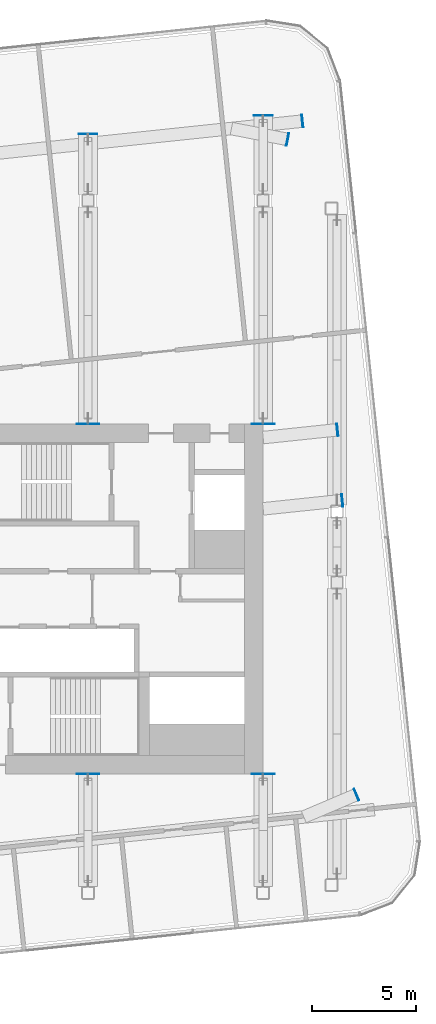
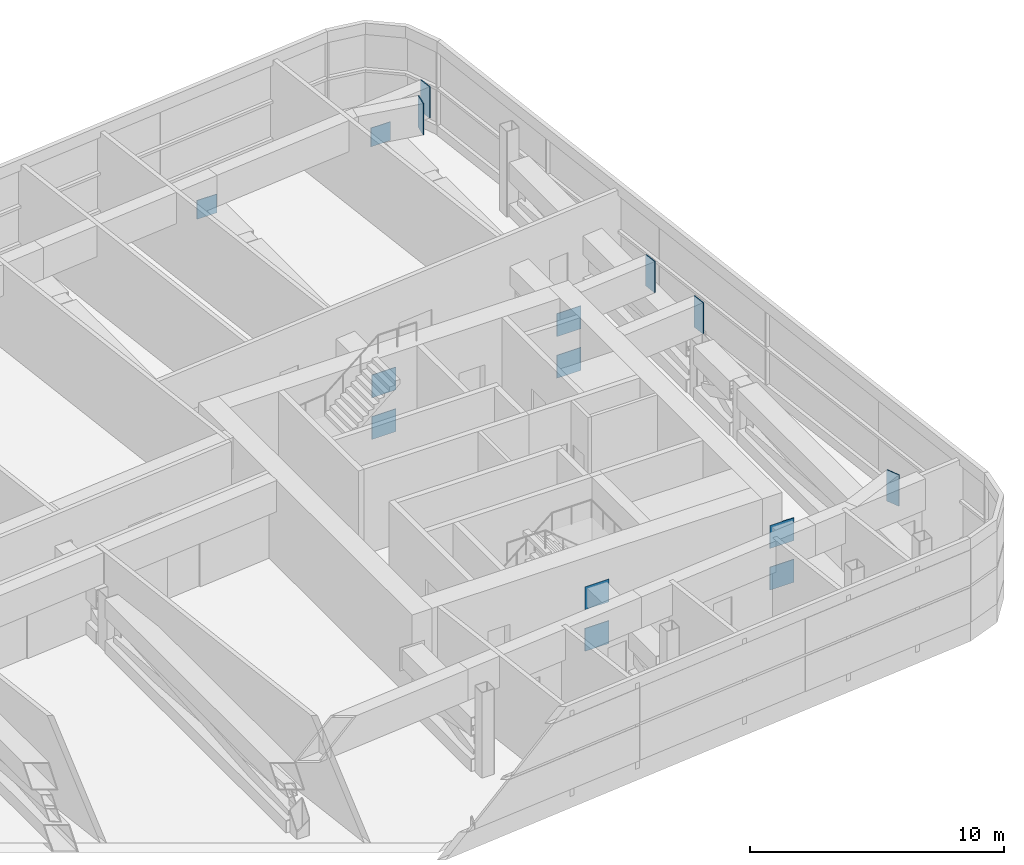
# One storey, part 23 of 33: 15 discrete accessories.
"""IFC4 building model written with IfcOpenShell, lengths in metres."""

from ifc_helpers import new_model, si_unit, direction, frame, origin, origin_2d, place, context, subcontext, project, spatial, rectangle, extrude, material, material_profile, profile_set, type_object, element, save


model = new_model("IFC4")

# Units and contexts
model_context = context("Model", 3, precision=1e-05, world=origin(), true_north=direction((0.0, 1.0)))
body_context = subcontext(model_context, "Body", "Model", "MODEL_VIEW")
ifc_project = project(units=[si_unit("LENGTHUNIT", "METRE"), si_unit("AREAUNIT", "SQUARE_METRE"), si_unit("VOLUMEUNIT", "CUBIC_METRE"), si_unit("PLANEANGLEUNIT", "RADIAN"), si_unit("MASSUNIT", "GRAM", prefix="KILO")], contexts=[model_context])

# Site, building, storey
site_placement = place(None, origin())
site = spatial("IfcSite", under=ifc_project, at=site_placement, CompositionType="ELEMENT")
building_placement = place(site_placement, origin())
building = spatial("IfcBuilding", under=site, at=building_placement, Name="Hakoniwa Tower and Hamabe Station Hall", CompositionType="ELEMENT")
storey_placement = place(building_placement, frame((0.0, 0.0, 228.199951171875)))
storey = spatial("IfcBuildingStorey", under=building, at=storey_placement, Name="L65", CompositionType="ELEMENT", Elevation=228.199951171875)

# Discrete accessories
ifc_material_1 = material(Name="Steel SN490C", Category="steel")
ifc_material_profile_1 = material_profile(ifc_material_1, rectangle(XDim=1.10009765625, YDim=1.10009765625, at=origin_2d()), Name="CAST-IN PLATE BX-900x900x36")
ifc_profile_set_1 = profile_set([ifc_material_profile_1], Name="Steel SN490C")
discrete_accessory_type_1 = type_object("IfcDiscreteAccessoryType", Name="CAST-IN PLATE BX-900x900x36", PredefinedType="ANCHORPLATE", material=ifc_profile_set_1)
for number, where, z_axis, x_axis, name in (
    (1, (25.199951171875, -8.3701171875, 0.150146484375), (0.0, -1.0, 0.0), (1.0, 0.0, 0.0), "Cast-in plate T4-14-BC01"),
    (2, (25.199951171875, -8.3701171875, 2.150146484375), (0.0, -1.0, 0.0), (1.0, 0.0, 0.0), "Cast-in plate T4-14-TC01"),
    (3, (25.199951171875, 8.3701171875, 0.150146484375), (0.0, 1.0, 0.0), (-1.0, 0.0, 0.0), "Cast-in plate T4-15-BC01"),
    (4, (25.199951171875, 8.3701171875, 2.150146484375), (0.0, 1.0, 0.0), (-1.0, 0.0, 0.0), "Cast-in plate T4-15-TC01"),
    (5, (33.60009765625, -8.3701171875, 0.150146484375), (0.0, -1.0, 0.0), (1.0, 0.0, 0.0), "Cast-in plate T4-16-BC01"),
    (6, (33.60009765625, -8.3701171875, 2.150146484375), (0.0, -1.0, 0.0), (1.0, 0.0, 0.0), "Cast-in plate T4-16-TC01"),
    (7, (33.60009765625, 8.3701171875, 0.150146484375), (0.0, 1.0, 0.0), (-1.0, 0.0, 0.0), "Cast-in plate T4-17-BC01"),
    (8, (33.60009765625, 8.3701171875, 2.150146484375), (0.0, 1.0, 0.0), (-1.0, 0.0, 0.0), "Cast-in plate T4-17-TC01"),
):
    element("IfcDiscreteAccessory", number, at=place(storey_placement, frame(where, z_axis=z_axis, x_axis=x_axis)), inside=storey, type_object=discrete_accessory_type_1, Name=name, PredefinedType="ANCHORPLATE", context=body_context, shape_type="SweptSolid", body=[
        extrude(rectangle(XDim=1.10009765625, YDim=1.10009765625, at=origin_2d()), origin(), (0.0, 0.0, 1.0), 0.02978515625),
    ])
ifc_material_2 = material(Name="Steel SN490C", Category="steel")
ifc_material_profile_2 = material_profile(ifc_material_2, rectangle(XDim=0.60009765625, YDim=1.5, at=origin_2d()), Name="END CAP PLATE BX-1500x600x55")
ifc_profile_set_2 = profile_set([ifc_material_profile_2], Name="Steel SN490C")
discrete_accessory_type_2 = type_object("IfcDiscreteAccessoryType", Name="END CAP PLATE BX-1500x600x55", PredefinedType="USERDEFINED", material=ifc_profile_set_2)
discrete_accessory_1_placement = place(storey_placement, frame((37.373046875, 4.718994140625, 3.35009765625), z_axis=(0.994653358114, 0.103270020788, 0.0), x_axis=(-0.103270020788, 0.994653358114, 0.0)))
element("IfcDiscreteAccessory", 9, at=discrete_accessory_1_placement, inside=storey, type_object=discrete_accessory_type_2, Name="End cap plate T4-S-C5-G6", ObjectType="END CAP PLATE", PredefinedType="USERDEFINED", context=body_context, shape_type="SweptSolid", body=[
    extrude(rectangle(XDim=0.60009765625, YDim=1.5, at=origin_2d()), origin(), (0.0, 0.0, 1.0), 0.044921875),
])
for number, where, z_axis, x_axis, name in (
    (10, (37.138916015625, 8.11279296875, 3.35009765625), (0.994710856858, 0.102714708045, 0.0), (-0.102714708045, 0.994710856858, 0.0), "End cap plate T4-S-D5-G6"),
    (11, (35.4599609375, 22.91796875, 3.35009765625), (0.994710856858, 0.102714708045, 0.0), (-0.102714708045, 0.994710856858, 0.0), "End cap plate T4-S-F5-G9"),
    (12, (38.053955078125, -9.389892578125, 3.35009765625), (0.920817666777, 0.389993364753, 0.0), (-0.389993364753, 0.920817666777, 0.0), "End cap plate L65-XG3"),
):
    element("IfcDiscreteAccessory", number, at=place(storey_placement, frame(where, z_axis=z_axis, x_axis=x_axis)), inside=storey, type_object=discrete_accessory_type_2, Name=name, ObjectType="END CAP PLATE", PredefinedType="USERDEFINED", context=body_context, shape_type="SweptSolid", body=[
        extrude(rectangle(XDim=0.60009765625, YDim=1.5, at=origin_2d()), origin(), (0.0, 0.0, 1.0), 0.045166015625),
    ])
discrete_accessory_2_placement = place(storey_placement, frame((34.7509765625, 22.04296875, 3.35009765625), z_axis=(0.981812480306, -0.189853242048, 0.0), x_axis=(0.189853242048, 0.981812480306, 0.0)))
element("IfcDiscreteAccessory", 13, at=discrete_accessory_2_placement, inside=storey, type_object=discrete_accessory_type_2, Name="End cap plate L65-XG4", ObjectType="END CAP PLATE", PredefinedType="USERDEFINED", context=body_context, shape_type="SweptSolid", body=[
    extrude(rectangle(XDim=0.60009765625, YDim=1.5, at=origin_2d()), origin(), (0.0, 0.0, 1.0), 0.044921875),
])
ifc_material_3 = material(Name="Steel SN490C", Category="steel")
ifc_material_profile_3 = material_profile(ifc_material_3, rectangle(XDim=0.89990234375, YDim=0.89990234375, at=origin_2d()), Name="END CAP PLATE BX-900x900x36")
ifc_profile_set_3 = profile_set([ifc_material_profile_3], Name="Steel SN490C")
discrete_accessory_type_3 = type_object("IfcDiscreteAccessoryType", Name="END CAP PLATE BX-900x900x36", PredefinedType="USERDEFINED", material=ifc_profile_set_3)
discrete_accessory_3_placement = place(storey_placement, frame((25.199951171875, 22.2900390625, 2.150146484375), z_axis=(0.0, 1.0, 0.0), x_axis=(-1.0, 0.0, 0.0)))
element("IfcDiscreteAccessory", 14, at=discrete_accessory_3_placement, inside=storey, type_object=discrete_accessory_type_3, Name="End cap plate T4-15-TCH", ObjectType="END CAP PLATE", PredefinedType="USERDEFINED", context=body_context, shape_type="SweptSolid", body=[
    extrude(rectangle(XDim=0.89990234375, YDim=0.89990234375, at=origin_2d()), origin(), (0.0, 0.0, 1.0), 0.030029296875),
])
discrete_accessory_4_placement = place(storey_placement, frame((33.60009765625, 23.173095703125, 2.150146484375), z_axis=(0.0, 1.0, 0.0), x_axis=(-1.0, 0.0, 0.0)))
element("IfcDiscreteAccessory", 15, at=discrete_accessory_4_placement, inside=storey, type_object=discrete_accessory_type_3, Name="End cap plate T4-17-TCH", ObjectType="END CAP PLATE", PredefinedType="USERDEFINED", context=body_context, shape_type="SweptSolid", body=[
    extrude(rectangle(XDim=0.89990234375, YDim=0.89990234375, at=origin_2d()), origin(), (0.0, 0.0, 1.0), 0.02978515625),
])

save(model, "model.ifc")
